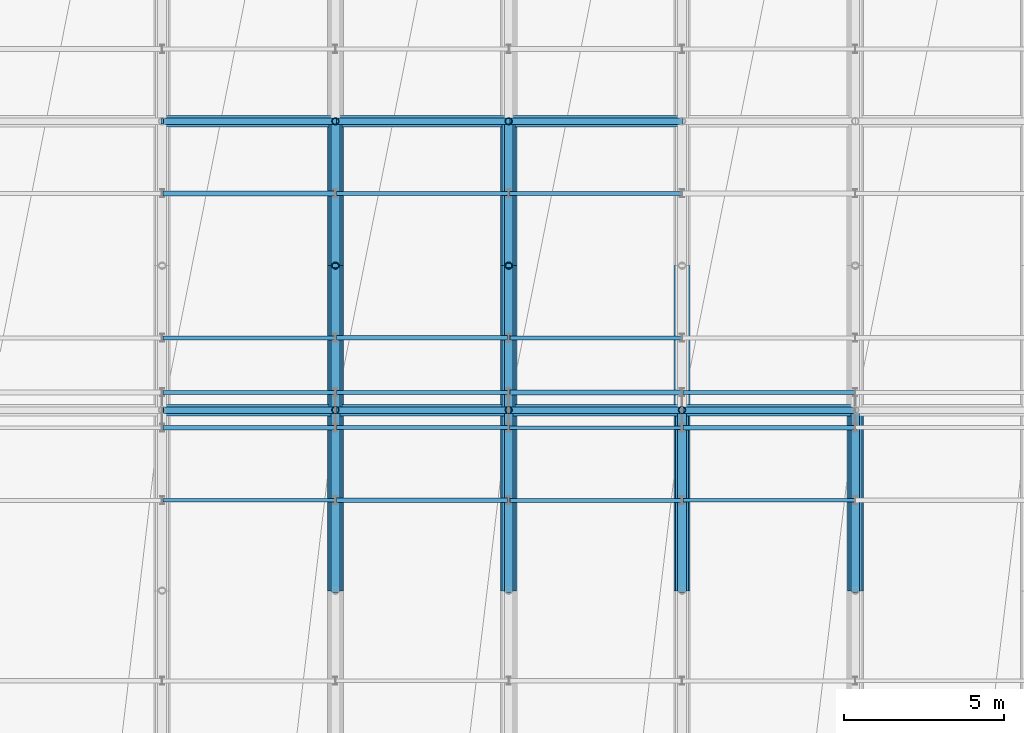
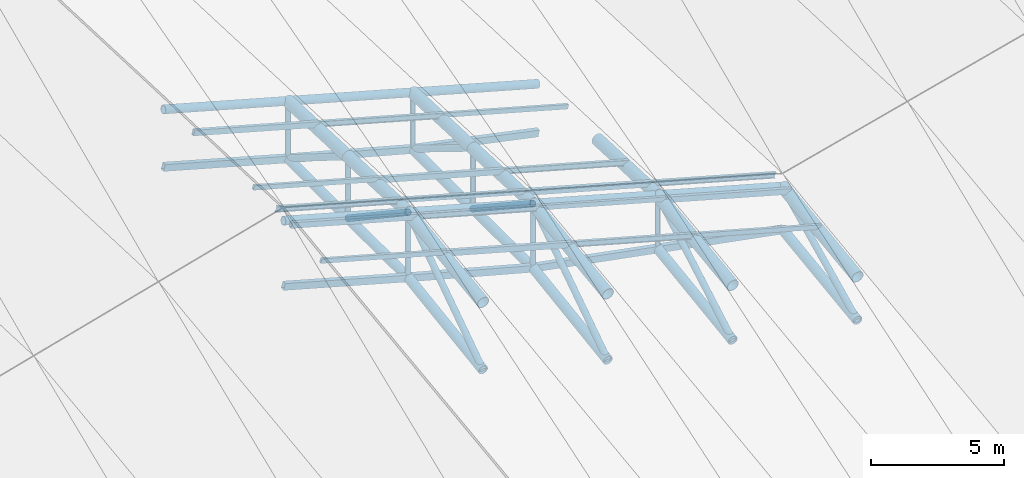
# One storey, part 19 of 109: 47 members, 17 beams.
"""IFC4 building model written with IfcOpenShell, lengths in metres."""

from ifc_helpers import new_model, si_unit, direction, frame, origin, origin_2d, place, context, subcontext, project, spatial, hollow_rectangle, hollow_circle, i_section, extrude, material, material_profile, profile_set, type_object, element, save


model = new_model("IFC4")

# Units and contexts
model_context = context("Model", 3, precision=1e-05, world=origin(), true_north=direction((0.0, 1.0)))
body_context = subcontext(model_context, "Body", "Model", "MODEL_VIEW")
ifc_project = project(units=[si_unit("LENGTHUNIT", "METRE"), si_unit("AREAUNIT", "SQUARE_METRE"), si_unit("VOLUMEUNIT", "CUBIC_METRE"), si_unit("PLANEANGLEUNIT", "RADIAN"), si_unit("MASSUNIT", "GRAM", prefix="KILO")], contexts=[model_context])

# Site, building, storey
site_placement = place(None, origin())
site = spatial("IfcSite", under=ifc_project, at=site_placement, CompositionType="ELEMENT")
building_placement = place(site_placement, origin())
building = spatial("IfcBuilding", under=site, at=building_placement, Name="Suirenkawa Promenade Aquatics Centre", CompositionType="ELEMENT")
storey_placement = place(building_placement, frame((0.0, 0.0, 22.800048828125)))
storey = spatial("IfcBuildingStorey", under=building, at=storey_placement, Name="ROOF", CompositionType="ELEMENT", Elevation=22.800048828125)

# Beams
ifc_material = material(Name="Steel IS 2062 E350 (Grade 350)", Category="steel")
ifc_material_profile_1 = material_profile(ifc_material, hollow_circle(Radius=0.202880859375, WallThickness=0.01806640625, at=origin_2d()), Name="CHS 406x18", Category="steel")
ifc_profile_set_1 = profile_set([ifc_material_profile_1], Name="Steel IS 2062 E350 (Grade 350)")
beam_type_1 = type_object("IfcBeamType", Name="BT-BC-CHS406", PredefinedType="BEAM", material=ifc_profile_set_1)
beam_1_placement = place(storey_placement, frame((73.800048828125, 89.77490234375, -8.507080078125), z_axis=(0.0, 0.989286297541, 0.145988429325), x_axis=(-1.0, 0.0, 0.0)))
element("IfcBeam", 1, at=beam_1_placement, inside=storey, type_object=beam_type_1, Name="ROOF TRUSS V1 bottom chord BC-01 BM-1962", PredefinedType="BEAM", context=body_context, shape_type="SweptSolid", body=[
    extrude(hollow_circle(Radius=0.202880859375, WallThickness=0.01806640625, at=origin_2d()), origin(), (0.0, 0.0, 1.0), 5.68603515625),
])
for number, where, z_axis, x_axis, name in (
    (2, (73.800048828125, 95.39990234375, -7.677001953125), (0.0, 0.999973178989, -0.007324022307), (-1.0, 0.0, 0.0), "ROOF TRUSS V1 bottom chord BC-01 BM-1964"),
    (3, (73.800048828125, 99.89990234375, -7.7099609375), (0.0, 0.999992993217, 0.003743463354), (-1.0, 0.0, 0.0), "ROOF TRUSS V1 bottom chord BC-01 BM-1966"),
):
    element("IfcBeam", number, at=place(storey_placement, frame(where, z_axis=z_axis, x_axis=x_axis)), inside=storey, type_object=beam_type_1, Name=name, PredefinedType="BEAM", context=body_context, shape_type="SweptSolid", body=[
        extrude(hollow_circle(Radius=0.202880859375, WallThickness=0.01806640625, at=origin_2d()), origin(), (0.0, 0.0, 1.0), 4.5),
    ])
beam_2_placement = place(storey_placement, frame((79.199951171875, 89.77490234375, -9.953125), z_axis=(0.0, 0.98936058971, 0.145484100605), x_axis=(-1.0, 0.0, 0.0)))
element("IfcBeam", 4, at=beam_2_placement, inside=storey, type_object=beam_type_1, Name="ROOF TRUSS V1 bottom chord BC-01 BM-1990", PredefinedType="BEAM", context=body_context, shape_type="SweptSolid", body=[
    extrude(hollow_circle(Radius=0.202880859375, WallThickness=0.01806640625, at=origin_2d()), origin(), (0.0, 0.0, 1.0), 5.685546875),
])
beam_3_placement = place(storey_placement, frame((79.199951171875, 95.39990234375, -9.1259765625), z_axis=(0.0, 0.999964186155, -0.008463238555), x_axis=(-1.0, 0.0, 0.0)))
element("IfcBeam", 5, at=beam_3_placement, inside=storey, type_object=beam_type_1, Name="ROOF TRUSS V1 bottom chord BC-01 BM-1992", PredefinedType="BEAM", context=body_context, shape_type="SweptSolid", body=[
    extrude(hollow_circle(Radius=0.202880859375, WallThickness=0.01806640625, at=origin_2d()), origin(), (0.0, 0.0, 1.0), 4.500244140625),
])
beam_4_placement = place(storey_placement, frame((79.199951171875, 99.89990234375, -9.1640625), z_axis=(0.0, 0.999997526048, 0.002224386858), x_axis=(-1.0, 0.0, 0.0)))
element("IfcBeam", 6, at=beam_4_placement, inside=storey, type_object=beam_type_1, Name="ROOF TRUSS V1 bottom chord BC-01 BM-1994", PredefinedType="BEAM", context=body_context, shape_type="SweptSolid", body=[
    extrude(hollow_circle(Radius=0.202880859375, WallThickness=0.01806640625, at=origin_2d()), origin(), (0.0, 0.0, 1.0), 4.5),
])
beam_5_placement = place(storey_placement, frame((84.60009765625, 89.77490234375, -10.93408203125), z_axis=(0.0, 0.990209108988, 0.139591978559), x_axis=(-1.0, 0.0, 0.0)))
element("IfcBeam", 7, at=beam_5_placement, inside=storey, type_object=beam_type_1, Name="ROOF TRUSS V1 bottom chord BC-01 BM-2018", PredefinedType="BEAM", context=body_context, shape_type="SweptSolid", body=[
    extrude(hollow_circle(Radius=0.202880859375, WallThickness=0.01806640625, at=origin_2d()), origin(), (0.0, 0.0, 1.0), 5.6806640625),
])
beam_6_placement = place(storey_placement, frame((90.0, 89.77490234375, -11.9140625), z_axis=(0.0, 0.991040964108, 0.133558254929), x_axis=(-1.0, 0.0, 0.0)))
element("IfcBeam", 8, at=beam_6_placement, inside=storey, type_object=beam_type_1, Name="ROOF TRUSS V1 bottom chord BC-01 BM-2046", PredefinedType="BEAM", context=body_context, shape_type="SweptSolid", body=[
    extrude(hollow_circle(Radius=0.202880859375, WallThickness=0.01806640625, at=origin_2d()), origin(), (0.0, 0.0, 1.0), 5.67578125),
])
ifc_material_profile_2 = material_profile(ifc_material, hollow_circle(Radius=0.25390625, WallThickness=0.02392578125, at=origin_2d()), Name="CHS 508x24", Category="steel")
ifc_profile_set_2 = profile_set([ifc_material_profile_2], Name="Steel IS 2062 E350 (Grade 350)")
beam_type_2 = type_object("IfcBeamType", Name="BT-TC-CHS508", PredefinedType="BEAM", material=ifc_profile_set_2)
beam_7_placement = place(storey_placement, frame((73.800048828125, 89.77490234375, -5.425048828125), z_axis=(0.0, 0.991793720609, 0.127848409297), x_axis=(-1.0, 0.0, 0.0)))
element("IfcBeam", 9, at=beam_7_placement, inside=storey, type_object=beam_type_2, Name="ROOF TRUSS V1 top chord TC-02 BM-1961", PredefinedType="BEAM", context=body_context, shape_type="SweptSolid", body=[
    extrude(hollow_circle(Radius=0.25390625, WallThickness=0.02392578125, at=origin_2d()), origin(), (0.0, 0.0, 1.0), 5.671630859375),
])
for number, where, z_axis, x_axis, name in (
    (10, (73.800048828125, 95.39990234375, -4.699951171875), (0.0, 0.999173184279, -0.040656460949), (-1.0, 0.0, 0.0), "ROOF TRUSS V1 top chord TC-02 BM-1963"),
    (11, (73.800048828125, 99.89990234375, -4.883056640625), (0.0, 0.999164352475, -0.040872934124), (-1.0, 0.0, 0.0), "ROOF TRUSS V1 top chord TC-02 BM-1965"),
):
    element("IfcBeam", number, at=place(storey_placement, frame(where, z_axis=z_axis, x_axis=x_axis)), inside=storey, type_object=beam_type_2, Name=name, PredefinedType="BEAM", context=body_context, shape_type="SweptSolid", body=[
        extrude(hollow_circle(Radius=0.25390625, WallThickness=0.02392578125, at=origin_2d()), origin(), (0.0, 0.0, 1.0), 4.503662109375),
    ])
beam_8_placement = place(storey_placement, frame((79.199951171875, 89.77490234375, -6.925048828125), z_axis=(0.0, 0.991793720609, 0.127848409297), x_axis=(-1.0, 0.0, 0.0)))
element("IfcBeam", 12, at=beam_8_placement, inside=storey, type_object=beam_type_2, Name="ROOF TRUSS V1 top chord TC-02 BM-1989", PredefinedType="BEAM", context=body_context, shape_type="SweptSolid", body=[
    extrude(hollow_circle(Radius=0.25390625, WallThickness=0.02392578125, at=origin_2d()), origin(), (0.0, 0.0, 1.0), 5.671630859375),
])
for number, where, z_axis, x_axis, name in (
    (13, (79.199951171875, 95.39990234375, -6.199951171875), (0.0, 0.999173184279, -0.040656460949), (-1.0, 0.0, 0.0), "ROOF TRUSS V1 top chord TC-02 BM-1991"),
    (14, (79.199951171875, 99.89990234375, -6.383056640625), (0.0, 0.999164352475, -0.040872934124), (-1.0, 0.0, 0.0), "ROOF TRUSS V1 top chord TC-02 BM-1993"),
):
    element("IfcBeam", number, at=place(storey_placement, frame(where, z_axis=z_axis, x_axis=x_axis)), inside=storey, type_object=beam_type_2, Name=name, PredefinedType="BEAM", context=body_context, shape_type="SweptSolid", body=[
        extrude(hollow_circle(Radius=0.25390625, WallThickness=0.02392578125, at=origin_2d()), origin(), (0.0, 0.0, 1.0), 4.503662109375),
    ])
beam_9_placement = place(storey_placement, frame((84.60009765625, 89.77490234375, -8.425048828125), z_axis=(0.0, 0.991793720609, 0.127848409297), x_axis=(-1.0, 0.0, 0.0)))
element("IfcBeam", 15, at=beam_9_placement, inside=storey, type_object=beam_type_2, Name="ROOF TRUSS V1 top chord TC-02 BM-2017", PredefinedType="BEAM", context=body_context, shape_type="SweptSolid", body=[
    extrude(hollow_circle(Radius=0.25390625, WallThickness=0.02392578125, at=origin_2d()), origin(), (0.0, 0.0, 1.0), 5.671630859375),
])
beam_10_placement = place(storey_placement, frame((84.60009765625, 95.39990234375, -7.699951171875), z_axis=(0.0, 0.999173184279, -0.040656460949), x_axis=(-1.0, 0.0, 0.0)))
element("IfcBeam", 16, at=beam_10_placement, inside=storey, type_object=beam_type_2, Name="ROOF TRUSS V1 top chord TC-02 BM-2019", PredefinedType="BEAM", context=body_context, shape_type="SweptSolid", body=[
    extrude(hollow_circle(Radius=0.25390625, WallThickness=0.02392578125, at=origin_2d()), origin(), (0.0, 0.0, 1.0), 4.503662109375),
])
beam_11_placement = place(storey_placement, frame((90.0, 89.77490234375, -9.925048828125), z_axis=(0.0, 0.991793720609, 0.127848409297), x_axis=(-1.0, 0.0, 0.0)))
element("IfcBeam", 17, at=beam_11_placement, inside=storey, type_object=beam_type_2, Name="ROOF TRUSS V1 top chord TC-02 BM-2045", PredefinedType="BEAM", context=body_context, shape_type="SweptSolid", body=[
    extrude(hollow_circle(Radius=0.25390625, WallThickness=0.02392578125, at=origin_2d()), origin(), (0.0, 0.0, 1.0), 5.671630859375),
])

# Members
ifc_material_profile_3 = material_profile(ifc_material, hollow_circle(Radius=0.177978515625, WallThickness=0.01611328125, at=origin_2d()), Name="CHS 356x16", Category="steel")
ifc_profile_set_3 = profile_set([ifc_material_profile_3], Name="Steel IS 2062 E350 (Grade 350)")
member_type_1 = type_object("IfcMemberType", Name="MT-CHORD-CHS356", PredefinedType="CHORD", material=ifc_profile_set_3)
member_1_placement = place(storey_placement, frame((68.39990234375, 95.39990234375, -3.199951171875), z_axis=(0.963519781844, 0.0, -0.267637123724), x_axis=(0.0, 1.0, 0.0)))
element("IfcMember", 18, at=member_1_placement, inside=storey, type_object=member_type_1, Name="ROOF TRUSS V1 tie chord CH-02 MB-0816", PredefinedType="CHORD", context=body_context, shape_type="SweptSolid", body=[
    extrude(hollow_circle(Radius=0.177978515625, WallThickness=0.01611328125, at=origin_2d()), origin(), (0.0, 0.0, 1.0), 5.6044921875),
])
member_2_placement = place(storey_placement, frame((73.800048828125, 95.39990234375, -4.699951171875), z_axis=(0.963516661409, 0.0, -0.267648357342), x_axis=(0.0, 1.0, 0.0)))
element("IfcMember", 19, at=member_2_placement, inside=storey, type_object=member_type_1, Name="ROOF TRUSS V1 tie chord CH-02 MB-0818", PredefinedType="CHORD", context=body_context, shape_type="SweptSolid", body=[
    extrude(hollow_circle(Radius=0.177978515625, WallThickness=0.01611328125, at=origin_2d()), origin(), (0.0, 0.0, 1.0), 5.604248046875),
])
member_3_placement = place(storey_placement, frame((79.199951171875, 95.39990234375, -6.199951171875), z_axis=(0.963519781844, 0.0, -0.267637123724), x_axis=(0.0, 1.0, 0.0)))
element("IfcMember", 20, at=member_3_placement, inside=storey, type_object=member_type_1, Name="ROOF TRUSS V1 tie chord CH-02 MB-0820", PredefinedType="CHORD", context=body_context, shape_type="SweptSolid", body=[
    extrude(hollow_circle(Radius=0.177978515625, WallThickness=0.01611328125, at=origin_2d()), origin(), (0.0, 0.0, 1.0), 5.6044921875),
])
member_4_placement = place(storey_placement, frame((84.60009765625, 95.39990234375, -7.699951171875), z_axis=(0.963516661409, 0.0, -0.267648357342), x_axis=(0.0, 1.0, 0.0)))
element("IfcMember", 21, at=member_4_placement, inside=storey, type_object=member_type_1, Name="ROOF TRUSS V1 tie chord CH-02 MB-0822", PredefinedType="CHORD", context=body_context, shape_type="SweptSolid", body=[
    extrude(hollow_circle(Radius=0.177978515625, WallThickness=0.01611328125, at=origin_2d()), origin(), (0.0, 0.0, 1.0), 5.604248046875),
])
member_5_placement = place(storey_placement, frame((68.39990234375, 104.39990234375, -3.567138671875), z_axis=(0.963519781844, 0.0, -0.267637123724), x_axis=(0.0, 1.0, 0.0)))
element("IfcMember", 22, at=member_5_placement, inside=storey, type_object=member_type_1, Name="ROOF TRUSS V1 tie chord CH-02 MB-0856", PredefinedType="CHORD", context=body_context, shape_type="SweptSolid", body=[
    extrude(hollow_circle(Radius=0.177978515625, WallThickness=0.01611328125, at=origin_2d()), origin(), (0.0, 0.0, 1.0), 5.6044921875),
])
member_6_placement = place(storey_placement, frame((73.800048828125, 104.39990234375, -5.067138671875), z_axis=(0.963516661409, 0.0, -0.267648357342), x_axis=(0.0, 1.0, 0.0)))
element("IfcMember", 23, at=member_6_placement, inside=storey, type_object=member_type_1, Name="ROOF TRUSS V1 tie chord CH-02 MB-0858", PredefinedType="CHORD", context=body_context, shape_type="SweptSolid", body=[
    extrude(hollow_circle(Radius=0.177978515625, WallThickness=0.01611328125, at=origin_2d()), origin(), (0.0, 0.0, 1.0), 5.604248046875),
])
member_7_placement = place(storey_placement, frame((79.199951171875, 104.39990234375, -6.567138671875), z_axis=(0.963519781844, 0.0, -0.267637123724), x_axis=(0.0, 1.0, 0.0)))
element("IfcMember", 24, at=member_7_placement, inside=storey, type_object=member_type_1, Name="ROOF TRUSS V1 tie chord CH-02 MB-0860", PredefinedType="CHORD", context=body_context, shape_type="SweptSolid", body=[
    extrude(hollow_circle(Radius=0.177978515625, WallThickness=0.01611328125, at=origin_2d()), origin(), (0.0, 0.0, 1.0), 5.6044921875),
])
ifc_material_profile_4 = material_profile(ifc_material, hollow_rectangle(XDim=0.199951171875, YDim=0.300048828125, WallThickness=0.011962890625, at=origin_2d()), Name="RHS 300x200x12", Category="steel")
ifc_profile_set_4 = profile_set([ifc_material_profile_4], Name="Steel IS 2062 E350 (Grade 350)")
member_type_2 = type_object("IfcMemberType", Name="MT-CHORD-RHS300", PredefinedType="CHORD", material=ifc_profile_set_4)
member_8_placement = place(storey_placement, frame((68.39990234375, 95.39990234375, -6.177001953125), z_axis=(0.963519781844, 0.0, -0.267637123724), x_axis=(0.0, 1.0, 0.0)))
element("IfcMember", 25, at=member_8_placement, inside=storey, type_object=member_type_2, Name="ROOF TRUSS V1 bottom tie CH-03 MB-0817", PredefinedType="CHORD", context=body_context, shape_type="SweptSolid", body=[
    extrude(hollow_rectangle(XDim=0.199951171875, YDim=0.300048828125, WallThickness=0.011962890625, at=origin_2d()), origin(), (0.0, 0.0, 1.0), 5.6044921875),
])
member_9_placement = place(storey_placement, frame((73.800048828125, 95.39990234375, -7.677001953125), z_axis=(0.965832973836, 0.0, -0.25916532687), x_axis=(0.0, 1.0, 0.0)))
element("IfcMember", 26, at=member_9_placement, inside=storey, type_object=member_type_2, Name="ROOF TRUSS V1 bottom tie CH-03 MB-0819", PredefinedType="CHORD", context=body_context, shape_type="SweptSolid", body=[
    extrude(hollow_rectangle(XDim=0.199951171875, YDim=0.300048828125, WallThickness=0.011962890625, at=origin_2d()), origin(), (0.0, 0.0, 1.0), 5.5908203125),
])
member_10_placement = place(storey_placement, frame((79.199951171875, 95.39990234375, -9.1259765625), z_axis=(0.982786066703, 0.0, -0.184747251926), x_axis=(0.0, 1.0, 0.0)))
element("IfcMember", 27, at=member_10_placement, inside=storey, type_object=member_type_2, Name="ROOF TRUSS V1 bottom tie CH-03 MB-0821", PredefinedType="CHORD", context=body_context, shape_type="SweptSolid", body=[
    extrude(hollow_rectangle(XDim=0.199951171875, YDim=0.300048828125, WallThickness=0.011962890625, at=origin_2d()), origin(), (0.0, 0.0, 1.0), 5.49462890625),
])
member_11_placement = place(storey_placement, frame((84.60009765625, 95.39990234375, -10.14111328125), z_axis=(0.982792617243, 0.0, -0.18471240211), x_axis=(0.0, 1.0, 0.0)))
element("IfcMember", 28, at=member_11_placement, inside=storey, type_object=member_type_2, Name="ROOF TRUSS V1 bottom tie CH-03 MB-0823", PredefinedType="CHORD", context=body_context, shape_type="SweptSolid", body=[
    extrude(hollow_rectangle(XDim=0.199951171875, YDim=0.300048828125, WallThickness=0.011962890625, at=origin_2d()), origin(), (0.0, 0.0, 1.0), 5.494384765625),
])
member_12_placement = place(storey_placement, frame((68.39990234375, 104.39990234375, -6.193115234375), z_axis=(0.963519781844, 0.0, -0.267637123724), x_axis=(0.0, 1.0, 0.0)))
element("IfcMember", 29, at=member_12_placement, inside=storey, type_object=member_type_2, Name="ROOF TRUSS V1 bottom tie CH-03 MB-0857", PredefinedType="CHORD", context=body_context, shape_type="SweptSolid", body=[
    extrude(hollow_rectangle(XDim=0.199951171875, YDim=0.300048828125, WallThickness=0.011962890625, at=origin_2d()), origin(), (0.0, 0.0, 1.0), 5.6044921875),
])
member_13_placement = place(storey_placement, frame((73.800048828125, 104.39990234375, -7.693115234375), z_axis=(0.965295623248, 0.0, -0.261159644159), x_axis=(0.0, 1.0, 0.0)))
element("IfcMember", 30, at=member_13_placement, inside=storey, type_object=member_type_2, Name="ROOF TRUSS V1 bottom tie CH-03 MB-0859", PredefinedType="CHORD", context=body_context, shape_type="SweptSolid", body=[
    extrude(hollow_rectangle(XDim=0.199951171875, YDim=0.300048828125, WallThickness=0.011962890625, at=origin_2d()), origin(), (0.0, 0.0, 1.0), 5.593994140625),
])
member_14_placement = place(storey_placement, frame((79.199951171875, 104.39990234375, -9.154052734375), z_axis=(0.978875359539, 0.0, -0.204457894167), x_axis=(0.0, 1.0, 0.0)))
element("IfcMember", 31, at=member_14_placement, inside=storey, type_object=member_type_2, Name="ROOF TRUSS V1 bottom tie CH-03 MB-0861", PredefinedType="CHORD", context=body_context, shape_type="SweptSolid", body=[
    extrude(hollow_rectangle(XDim=0.199951171875, YDim=0.300048828125, WallThickness=0.011962890625, at=origin_2d()), origin(), (0.0, 0.0, 1.0), 5.5166015625),
])
ifc_material_profile_5 = material_profile(ifc_material, i_section(OverallWidth=0.125, OverallDepth=0.25, WebThickness=0.007080078125, FlangeThickness=0.012939453125, at=origin_2d()), Name="ISMB 250", Category="steel")
ifc_profile_set_5 = profile_set([ifc_material_profile_5], Name="Steel IS 2062 E350 (Grade 350)")
member_type_3 = type_object("IfcMemberType", Name="MT-PURLIN-ISMB250", PredefinedType="PURLIN", material=ifc_profile_set_5)
member_15_placement = place(storey_placement, frame((68.39990234375, 95.949951171875, -2.994140625), z_axis=(0.963519781844, 0.0, -0.267637123724), x_axis=(0.0, 1.0, 0.0)))
element("IfcMember", 32, at=member_15_placement, inside=storey, type_object=member_type_3, Name="ROOF TRUSS Roof purlin PU-04 MB-1851", PredefinedType="PURLIN", context=body_context, shape_type="SweptSolid", body=[
    extrude(i_section(OverallWidth=0.125, OverallDepth=0.25, WebThickness=0.007080078125, FlangeThickness=0.012939453125, at=origin_2d()), origin(), (0.0, 0.0, 1.0), 5.6044921875),
])
for number, where, z_axis, x_axis, name in (
    (33, (73.800048828125, 94.85009765625, -4.550048828125), (0.963516661409, 0.0, -0.267648357342), (0.0, 1.0, 0.0), "ROOF TRUSS Roof purlin PU-04 MB-1885"),
    (34, (73.800048828125, 102.14990234375, -4.7470703125), (0.963516661409, 0.0, -0.267648357342), (0.0, 1.0, 0.0), "ROOF TRUSS Roof purlin PU-04 MB-1891"),
):
    element("IfcMember", number, at=place(storey_placement, frame(where, z_axis=z_axis, x_axis=x_axis)), inside=storey, type_object=member_type_3, Name=name, PredefinedType="PURLIN", context=body_context, shape_type="SweptSolid", body=[
        extrude(i_section(OverallWidth=0.125, OverallDepth=0.25, WebThickness=0.007080078125, FlangeThickness=0.012939453125, at=origin_2d()), origin(), (0.0, 0.0, 1.0), 5.604248046875),
    ])
for number, where, z_axis, x_axis, name in (
    (35, (79.199951171875, 92.587890625, -6.341064453125), (0.963519781844, 0.0, -0.267637123724), (0.0, 1.0, 0.0), "ROOF TRUSS Roof purlin PU-04 MB-1919"),
    (36, (79.199951171875, 97.64990234375, -6.06298828125), (0.963519781844, 0.0, -0.267637123724), (0.0, 1.0, 0.0), "ROOF TRUSS Roof purlin PU-04 MB-1925"),
):
    element("IfcMember", number, at=place(storey_placement, frame(where, z_axis=z_axis, x_axis=x_axis)), inside=storey, type_object=member_type_3, Name=name, PredefinedType="PURLIN", context=body_context, shape_type="SweptSolid", body=[
        extrude(i_section(OverallWidth=0.125, OverallDepth=0.25, WebThickness=0.007080078125, FlangeThickness=0.012939453125, at=origin_2d()), origin(), (0.0, 0.0, 1.0), 5.6044921875),
    ])
member_16_placement = place(storey_placement, frame((84.60009765625, 95.949951171875, -7.494140625), z_axis=(0.963516661409, 0.0, -0.267648357342), x_axis=(0.0, 1.0, 0.0)))
element("IfcMember", 37, at=member_16_placement, inside=storey, type_object=member_type_3, Name="ROOF TRUSS Roof purlin PU-04 MB-1959", PredefinedType="PURLIN", context=body_context, shape_type="SweptSolid", body=[
    extrude(i_section(OverallWidth=0.125, OverallDepth=0.25, WebThickness=0.007080078125, FlangeThickness=0.012939453125, at=origin_2d()), origin(), (0.0, 0.0, 1.0), 5.604248046875),
])
ifc_material_profile_6 = material_profile(ifc_material, hollow_rectangle(XDim=0.1201171875, YDim=0.199951171875, WallThickness=0.008056640625, at=origin_2d()), Name="RHS 200x120x8", Category="steel")
ifc_profile_set_6 = profile_set([ifc_material_profile_6], Name="Steel IS 2062 E350 (Grade 350)")
member_type_4 = type_object("IfcMemberType", Name="MT-PURLIN-RHS200", PredefinedType="PURLIN", material=ifc_profile_set_6)
for number, where, z_axis, x_axis, name in (
    (38, (68.39990234375, 92.587890625, -3.316162109375), (0.963519781844, 0.0, -0.267637123724), (0.0, 1.0, 0.0), "ROOF TRUSS Roof purlin PU-02 MB-1847"),
    (39, (68.39990234375, 97.64990234375, -3.0380859375), (0.963519781844, 0.0, -0.267637123724), (0.0, 1.0, 0.0), "ROOF TRUSS Roof purlin PU-02 MB-1853"),
):
    element("IfcMember", number, at=place(storey_placement, frame(where, z_axis=z_axis, x_axis=x_axis)), inside=storey, type_object=member_type_4, Name=name, PredefinedType="PURLIN", context=body_context, shape_type="SweptSolid", body=[
        extrude(hollow_rectangle(XDim=0.1201171875, YDim=0.199951171875, WallThickness=0.008056640625, at=origin_2d()), origin(), (0.0, 0.0, 1.0), 5.6044921875),
    ])
member_17_placement = place(storey_placement, frame((73.800048828125, 95.949951171875, -4.468994140625), z_axis=(0.963516661409, 0.0, -0.267648357342), x_axis=(0.0, 1.0, 0.0)))
element("IfcMember", 40, at=member_17_placement, inside=storey, type_object=member_type_4, Name="ROOF TRUSS Roof purlin PU-02 MB-1887", PredefinedType="PURLIN", context=body_context, shape_type="SweptSolid", body=[
    extrude(hollow_rectangle(XDim=0.1201171875, YDim=0.199951171875, WallThickness=0.008056640625, at=origin_2d()), origin(), (0.0, 0.0, 1.0), 5.604248046875),
])
for number, where, z_axis, x_axis, name in (
    (41, (79.199951171875, 94.85009765625, -6.025146484375), (0.963519781844, 0.0, -0.267637123724), (0.0, 1.0, 0.0), "ROOF TRUSS Roof purlin PU-02 MB-1921"),
    (42, (79.199951171875, 102.14990234375, -6.22216796875), (0.963519781844, 0.0, -0.267637123724), (0.0, 1.0, 0.0), "ROOF TRUSS Roof purlin PU-02 MB-1927"),
):
    element("IfcMember", number, at=place(storey_placement, frame(where, z_axis=z_axis, x_axis=x_axis)), inside=storey, type_object=member_type_4, Name=name, PredefinedType="PURLIN", context=body_context, shape_type="SweptSolid", body=[
        extrude(hollow_rectangle(XDim=0.1201171875, YDim=0.199951171875, WallThickness=0.008056640625, at=origin_2d()), origin(), (0.0, 0.0, 1.0), 5.6044921875),
    ])
member_18_placement = place(storey_placement, frame((84.60009765625, 92.587890625, -7.816162109375), z_axis=(0.963516661409, 0.0, -0.267648357342), x_axis=(0.0, 1.0, 0.0)))
element("IfcMember", 43, at=member_18_placement, inside=storey, type_object=member_type_4, Name="ROOF TRUSS Roof purlin PU-02 MB-1955", PredefinedType="PURLIN", context=body_context, shape_type="SweptSolid", body=[
    extrude(hollow_rectangle(XDim=0.1201171875, YDim=0.199951171875, WallThickness=0.008056640625, at=origin_2d()), origin(), (0.0, 0.0, 1.0), 5.604248046875),
])
ifc_material_profile_7 = material_profile(ifc_material, hollow_rectangle(XDim=0.14990234375, YDim=0.25, WallThickness=0.010009765625, at=origin_2d()), Name="RHS 250x150x10", Category="steel")
ifc_profile_set_7 = profile_set([ifc_material_profile_7], Name="Steel IS 2062 E350 (Grade 350)")
member_type_5 = type_object("IfcMemberType", Name="MT-PURLIN-RHS250", PredefinedType="PURLIN", material=ifc_profile_set_7)
for number, where, z_axis, x_axis, name in (
    (44, (68.39990234375, 94.85009765625, -3.052001953125), (0.963519781844, 0.0, -0.267637123724), (0.0, 1.0, 0.0), "ROOF TRUSS Roof purlin PU-03 MB-1849"),
    (45, (68.39990234375, 102.14990234375, -3.2470703125), (0.963519781844, 0.0, -0.267637123724), (0.0, 1.0, 0.0), "ROOF TRUSS Roof purlin PU-03 MB-1855"),
):
    element("IfcMember", number, at=place(storey_placement, frame(where, z_axis=z_axis, x_axis=x_axis)), inside=storey, type_object=member_type_5, Name=name, PredefinedType="PURLIN", context=body_context, shape_type="SweptSolid", body=[
        extrude(hollow_rectangle(XDim=0.14990234375, YDim=0.25, WallThickness=0.010009765625, at=origin_2d()), origin(), (0.0, 0.0, 1.0), 5.6044921875),
    ])
for number, where, z_axis, x_axis, name in (
    (46, (73.800048828125, 92.587890625, -4.843017578125), (0.963516661409, 0.0, -0.267648357342), (0.0, 1.0, 0.0), "ROOF TRUSS Roof purlin PU-03 MB-1883"),
    (47, (73.800048828125, 97.64990234375, -4.56396484375), (0.963516661409, 0.0, -0.267648357342), (0.0, 1.0, 0.0), "ROOF TRUSS Roof purlin PU-03 MB-1889"),
):
    element("IfcMember", number, at=place(storey_placement, frame(where, z_axis=z_axis, x_axis=x_axis)), inside=storey, type_object=member_type_5, Name=name, PredefinedType="PURLIN", context=body_context, shape_type="SweptSolid", body=[
        extrude(hollow_rectangle(XDim=0.14990234375, YDim=0.25, WallThickness=0.010009765625, at=origin_2d()), origin(), (0.0, 0.0, 1.0), 5.604248046875),
    ])
member_19_placement = place(storey_placement, frame((79.199951171875, 95.949951171875, -5.9951171875), z_axis=(0.963519781844, 0.0, -0.267637123724), x_axis=(0.0, 1.0, 0.0)))
element("IfcMember", 48, at=member_19_placement, inside=storey, type_object=member_type_5, Name="ROOF TRUSS Roof purlin PU-03 MB-1923", PredefinedType="PURLIN", context=body_context, shape_type="SweptSolid", body=[
    extrude(hollow_rectangle(XDim=0.14990234375, YDim=0.25, WallThickness=0.010009765625, at=origin_2d()), origin(), (0.0, 0.0, 1.0), 5.6044921875),
])
member_20_placement = place(storey_placement, frame((84.60009765625, 94.85009765625, -7.552001953125), z_axis=(0.963516661409, 0.0, -0.267648357342), x_axis=(0.0, 1.0, 0.0)))
element("IfcMember", 49, at=member_20_placement, inside=storey, type_object=member_type_5, Name="ROOF TRUSS Roof purlin PU-03 MB-1957", PredefinedType="PURLIN", context=body_context, shape_type="SweptSolid", body=[
    extrude(hollow_rectangle(XDim=0.14990234375, YDim=0.25, WallThickness=0.010009765625, at=origin_2d()), origin(), (0.0, 0.0, 1.0), 5.604248046875),
])
ifc_material_profile_8 = material_profile(ifc_material, hollow_circle(Radius=0.110107421875, WallThickness=0.010009765625, at=origin_2d()), Name="CHS 220x10", Category="steel")
ifc_profile_set_8 = profile_set([ifc_material_profile_8], Name="Steel IS 2062 E350 (Grade 350)")
member_type_6 = type_object("IfcMemberType", Name="MT-WEB-CHS220", PredefinedType="BRACE", material=ifc_profile_set_8)
member_21_placement = place(storey_placement, frame((73.800048828125, 95.39990234375, -7.677001953125), z_axis=(0.0, 0.0, 1.0), x_axis=(1.0, 0.0, 0.0)))
element("IfcMember", 50, at=member_21_placement, inside=storey, type_object=member_type_6, Name="ROOF TRUSS V1 web post TD-01 MB-0157", PredefinedType="BRACE", context=body_context, shape_type="SweptSolid", body=[
    extrude(hollow_circle(Radius=0.110107421875, WallThickness=0.010009765625, at=origin_2d()), origin(), (0.0, 0.0, 1.0), 2.97705078125),
])
member_22_placement = place(storey_placement, frame((73.800048828125, 99.89990234375, -7.7099609375), z_axis=(0.0, 0.0, 1.0), x_axis=(1.0, 0.0, 0.0)))
element("IfcMember", 51, at=member_22_placement, inside=storey, type_object=member_type_6, Name="ROOF TRUSS V1 web post TD-01 MB-0158", PredefinedType="BRACE", context=body_context, shape_type="SweptSolid", body=[
    extrude(hollow_circle(Radius=0.110107421875, WallThickness=0.010009765625, at=origin_2d()), origin(), (0.0, 0.0, 1.0), 2.826904296875),
])
member_23_placement = place(storey_placement, frame((73.800048828125, 104.39990234375, -7.693115234375), z_axis=(0.0, 0.0, 1.0), x_axis=(1.0, 0.0, 0.0)))
element("IfcMember", 52, at=member_23_placement, inside=storey, type_object=member_type_6, Name="ROOF TRUSS V1 web post TD-01 MB-0159", PredefinedType="BRACE", context=body_context, shape_type="SweptSolid", body=[
    extrude(hollow_circle(Radius=0.110107421875, WallThickness=0.010009765625, at=origin_2d()), origin(), (0.0, 0.0, 1.0), 2.6259765625),
])
member_24_placement = place(storey_placement, frame((79.199951171875, 95.39990234375, -9.1259765625), z_axis=(0.0, 0.0, 1.0), x_axis=(1.0, 0.0, 0.0)))
element("IfcMember", 53, at=member_24_placement, inside=storey, type_object=member_type_6, Name="ROOF TRUSS V1 web post TD-01 MB-0184", PredefinedType="BRACE", context=body_context, shape_type="SweptSolid", body=[
    extrude(hollow_circle(Radius=0.110107421875, WallThickness=0.010009765625, at=origin_2d()), origin(), (0.0, 0.0, 1.0), 2.926025390625),
])
member_25_placement = place(storey_placement, frame((79.199951171875, 99.89990234375, -9.1640625), z_axis=(0.0, 0.0, 1.0), x_axis=(1.0, 0.0, 0.0)))
element("IfcMember", 54, at=member_25_placement, inside=storey, type_object=member_type_6, Name="ROOF TRUSS V1 web post TD-01 MB-0185", PredefinedType="BRACE", context=body_context, shape_type="SweptSolid", body=[
    extrude(hollow_circle(Radius=0.110107421875, WallThickness=0.010009765625, at=origin_2d()), origin(), (0.0, 0.0, 1.0), 2.781005859375),
])
member_26_placement = place(storey_placement, frame((79.199951171875, 104.39990234375, -9.154052734375), z_axis=(0.0, 0.0, 1.0), x_axis=(1.0, 0.0, 0.0)))
element("IfcMember", 55, at=member_26_placement, inside=storey, type_object=member_type_6, Name="ROOF TRUSS V1 web post TD-01 MB-0186", PredefinedType="BRACE", context=body_context, shape_type="SweptSolid", body=[
    extrude(hollow_circle(Radius=0.110107421875, WallThickness=0.010009765625, at=origin_2d()), origin(), (0.0, 0.0, 1.0), 2.5869140625),
])
member_27_placement = place(storey_placement, frame((84.60009765625, 95.39990234375, -10.14111328125), z_axis=(0.0, 0.0, 1.0), x_axis=(1.0, 0.0, 0.0)))
element("IfcMember", 56, at=member_27_placement, inside=storey, type_object=member_type_6, Name="ROOF TRUSS V1 web post TD-01 MB-0211", PredefinedType="BRACE", context=body_context, shape_type="SweptSolid", body=[
    extrude(hollow_circle(Radius=0.110107421875, WallThickness=0.010009765625, at=origin_2d()), origin(), (0.0, 0.0, 1.0), 2.441162109375),
])
ifc_material_profile_9 = material_profile(ifc_material, hollow_circle(Radius=0.136962890625, WallThickness=0.011962890625, at=origin_2d()), Name="CHS 274x12", Category="steel")
ifc_profile_set_9 = profile_set([ifc_material_profile_9], Name="Steel IS 2062 E350 (Grade 350)")
member_type_7 = type_object("IfcMemberType", Name="MT-WEB-CHS274", PredefinedType="BRACE", material=ifc_profile_set_9)
member_28_placement = place(storey_placement, frame((73.800048828125, 89.77490234375, -8.507080078125), z_axis=(0.0, 0.828147975277, 0.560509528059), x_axis=(-1.0, 0.0, 0.0)))
element("IfcMember", 57, at=member_28_placement, inside=storey, type_object=member_type_7, Name="ROOF TRUSS V1 web diagonal TD-02 MB-0143", PredefinedType="BRACE", context=body_context, shape_type="SweptSolid", body=[
    extrude(hollow_circle(Radius=0.136962890625, WallThickness=0.011962890625, at=origin_2d()), origin(), (0.0, 0.0, 1.0), 6.792236328125),
])
member_29_placement = place(storey_placement, frame((73.800048828125, 95.39990234375, -4.699951171875), z_axis=(0.0, 0.83119596855, -0.555979551663), x_axis=(-1.0, 0.0, 0.0)))
element("IfcMember", 58, at=member_29_placement, inside=storey, type_object=member_type_7, Name="ROOF TRUSS V1 web diagonal TD-02 MB-0144", PredefinedType="BRACE", context=body_context, shape_type="SweptSolid", body=[
    extrude(hollow_circle(Radius=0.136962890625, WallThickness=0.011962890625, at=origin_2d()), origin(), (0.0, 0.0, 1.0), 5.413818359375),
])
member_30_placement = place(storey_placement, frame((73.800048828125, 99.89990234375, -4.883056640625), z_axis=(0.0, 0.848205062223, -0.529667983192), x_axis=(-1.0, 0.0, 0.0)))
element("IfcMember", 59, at=member_30_placement, inside=storey, type_object=member_type_7, Name="ROOF TRUSS V1 web diagonal TD-02 MB-0145", PredefinedType="BRACE", context=body_context, shape_type="SweptSolid", body=[
    extrude(hollow_circle(Radius=0.136962890625, WallThickness=0.011962890625, at=origin_2d()), origin(), (0.0, 0.0, 1.0), 5.305419921875),
])
member_31_placement = place(storey_placement, frame((79.199951171875, 89.77490234375, -9.953125), z_axis=(0.0, 0.831833607555, 0.55502508893), x_axis=(-1.0, 0.0, 0.0)))
element("IfcMember", 60, at=member_31_placement, inside=storey, type_object=member_type_7, Name="ROOF TRUSS V1 web diagonal TD-02 MB-0170", PredefinedType="BRACE", context=body_context, shape_type="SweptSolid", body=[
    extrude(hollow_circle(Radius=0.136962890625, WallThickness=0.011962890625, at=origin_2d()), origin(), (0.0, 0.0, 1.0), 6.76220703125),
])
member_32_placement = place(storey_placement, frame((79.199951171875, 95.39990234375, -6.199951171875), z_axis=(0.0, 0.835111471148, -0.550080749306), x_axis=(-1.0, 0.0, 0.0)))
element("IfcMember", 61, at=member_32_placement, inside=storey, type_object=member_type_7, Name="ROOF TRUSS V1 web diagonal TD-02 MB-0171", PredefinedType="BRACE", context=body_context, shape_type="SweptSolid", body=[
    extrude(hollow_circle(Radius=0.136962890625, WallThickness=0.011962890625, at=origin_2d()), origin(), (0.0, 0.0, 1.0), 5.388427734375),
])
member_33_placement = place(storey_placement, frame((79.199951171875, 99.89990234375, -6.383056640625), z_axis=(0.0, 0.851509181846, -0.524339692597), x_axis=(-1.0, 0.0, 0.0)))
element("IfcMember", 62, at=member_33_placement, inside=storey, type_object=member_type_7, Name="ROOF TRUSS V1 web diagonal TD-02 MB-0172", PredefinedType="BRACE", context=body_context, shape_type="SweptSolid", body=[
    extrude(hollow_circle(Radius=0.136962890625, WallThickness=0.011962890625, at=origin_2d()), origin(), (0.0, 0.0, 1.0), 5.28466796875),
])
member_34_placement = place(storey_placement, frame((84.60009765625, 89.77490234375, -10.93408203125), z_axis=(0.0, 0.866922562202, 0.498442846419), x_axis=(-1.0, 0.0, 0.0)))
element("IfcMember", 63, at=member_34_placement, inside=storey, type_object=member_type_7, Name="ROOF TRUSS V1 web diagonal TD-02 MB-0197", PredefinedType="BRACE", context=body_context, shape_type="SweptSolid", body=[
    extrude(hollow_circle(Radius=0.136962890625, WallThickness=0.011962890625, at=origin_2d()), origin(), (0.0, 0.0, 1.0), 6.488525390625),
])
member_35_placement = place(storey_placement, frame((90.0, 89.77490234375, -11.9140625), z_axis=(0.0, 0.900639750015, 0.434566497436), x_axis=(-1.0, 0.0, 0.0)))
element("IfcMember", 64, at=member_35_placement, inside=storey, type_object=member_type_7, Name="ROOF TRUSS V1 web diagonal TD-02 MB-0224", PredefinedType="BRACE", context=body_context, shape_type="SweptSolid", body=[
    extrude(hollow_circle(Radius=0.136962890625, WallThickness=0.011962890625, at=origin_2d()), origin(), (0.0, 0.0, 1.0), 6.24560546875),
])

save(model, "model.ifc")
